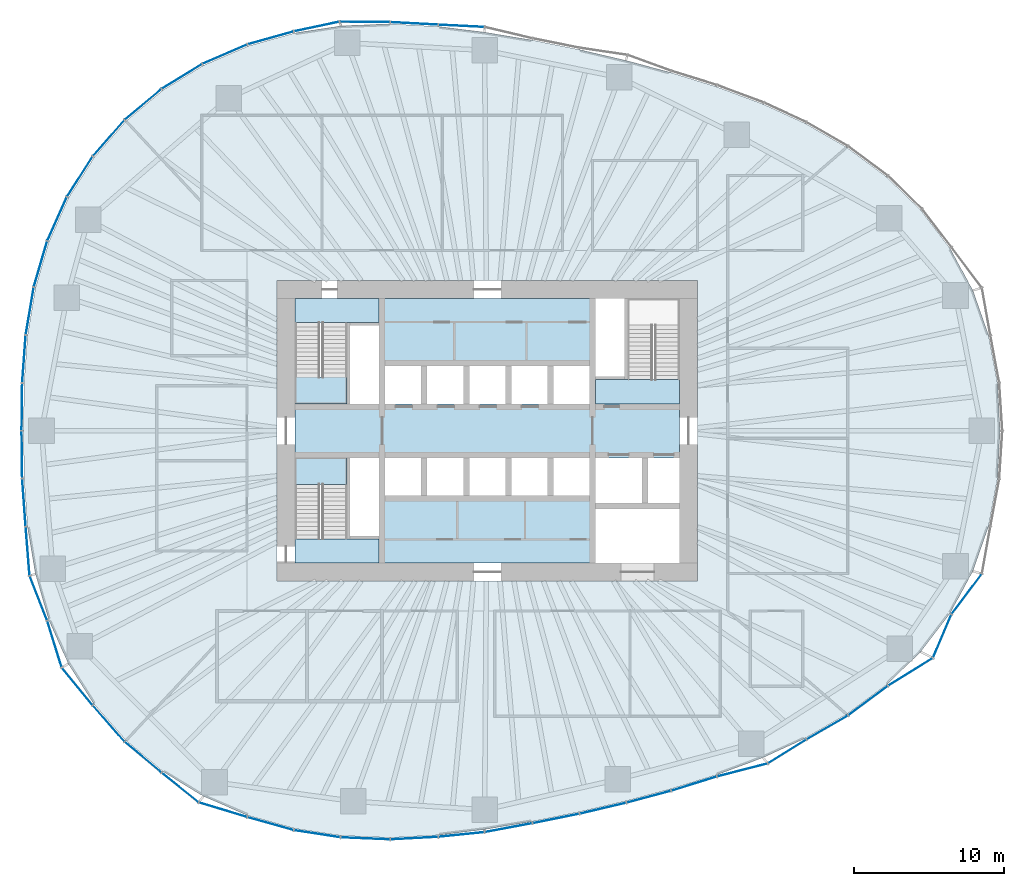
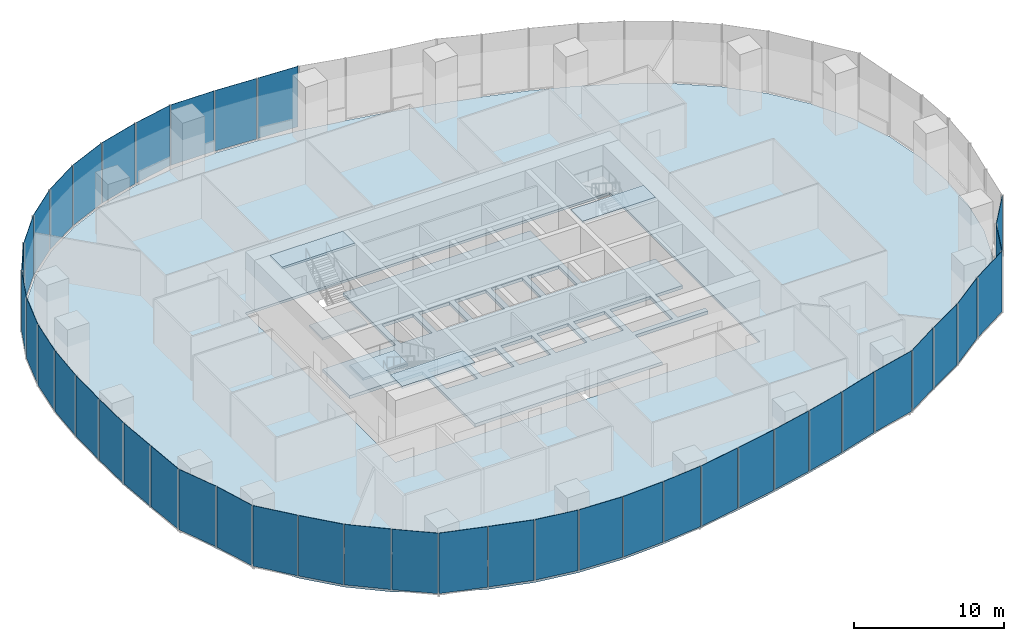
# One storey, part 8 of 20: 42 plates, 7 slabs, 17 elements without a shape of their own.
"""IFC4 building model written with IfcOpenShell, lengths in metres."""

import ifcopenshell
import ifcopenshell.guid

model = None  # the IFC model being written
_history = None  # IfcOwnerHistory: only IFC2X3 demands one
_inside = {}  # id of a spatial element -> (the spatial element, [elements in it])
_under = {}  # id of a project, library or spatial element -> (it, [spatial elements below it])
_declared = {}  # id of a project -> (the project, [libraries it declares])
_typed = {}  # id of a type object -> (the type object, [elements of that type])
_made_of = {}  # id of a material, layer set ... -> (it, [elements and type objects made of it])


def new_model(schema):
    """Start an empty IFC model of exactly this schema.

    Asked for "IFC4X3", IfcOpenShell would pick the latest addendum, in which some entities
    have other attributes; the version numbers below select the first issue.
    IFC2X3 requires an IfcOwnerHistory on every rooted entity: one is made here for all.
    """
    global model, _history
    if schema == "IFC4X3":
        model = ifcopenshell.file(schema_version=(4, 3, 0, 0))
    else:
        model = ifcopenshell.file(schema=schema)
    _inside.clear()
    _under.clear()
    _declared.clear()
    _typed.clear()
    _made_of.clear()
    _history = None
    if model.schema == "IFC2X3":
        org = make("IfcOrganization", Name="unknown")
        user = make(
            "IfcPersonAndOrganization",
            ThePerson=make("IfcPerson", FamilyName="unknown"),
            TheOrganization=org,
        )
        app = make(
            "IfcApplication",
            ApplicationDeveloper=org,
            Version="unknown",
            ApplicationFullName="unknown",
            ApplicationIdentifier="unknown",
        )
        _history = make(
            "IfcOwnerHistory",
            OwningUser=user,
            OwningApplication=app,
            ChangeAction="ADDED",
            CreationDate=0,
        )
    return model


def make(cls, **values):
    """One entity of the class cls with the attributes given. An attribute that is None is left unset."""
    return model.create_entity(
        cls, **{name: value for name, value in values.items() if value is not None}
    )


def rooted(cls, **values):
    """An entity with a GlobalId (a new one), such as an element, a storey or a relation."""
    return make(cls, GlobalId=ifcopenshell.guid.new(), OwnerHistory=_history, **values)


def si_unit(unit_type, name, prefix=None):
    """IfcSIUnit, for example si_unit("LENGTHUNIT", "METRE", prefix="MILLI")."""
    return make("IfcSIUnit", UnitType=unit_type, Prefix=prefix, Name=name)


def assignment(units):
    """IfcUnitAssignment: the units of a project."""
    return None if units is None else make("IfcUnitAssignment", Units=units)


def point(xyz):
    """IfcCartesianPoint."""
    return None if xyz is None else make("IfcCartesianPoint", Coordinates=xyz)


def direction(xyz):
    """IfcDirection."""
    return None if xyz is None else make("IfcDirection", DirectionRatios=xyz)


def frame(location, z_axis=None, x_axis=None):
    """IfcAxis2Placement3D, a coordinate frame: its origin and axes. An axis left out is left unset."""
    return make(
        "IfcAxis2Placement3D",
        Location=point(location),
        Axis=direction(z_axis),
        RefDirection=direction(x_axis),
    )


def frame_2d(location, x_axis=None):
    """IfcAxis2Placement2D, a coordinate frame in the plane: its origin and x axis."""
    return make(
        "IfcAxis2Placement2D", Location=point(location), RefDirection=direction(x_axis)
    )


def origin():
    """The frame at (0, 0, 0) with its axes left unset."""
    return frame((0.0, 0.0, 0.0))


def origin_2d():
    """The frame at (0, 0) in the plane with its x axis left unset."""
    return frame_2d((0.0, 0.0))


def place(relative_to, where):
    """IfcLocalPlacement: puts the frame where relative to a parent placement (None: the world)."""
    return make(
        "IfcLocalPlacement", PlacementRelTo=relative_to, RelativePlacement=where
    )


def context(
    kind, dimensions, precision=None, world=None, true_north=None, identifier=None
):
    """IfcGeometricRepresentationContext, for example the 3D "Model" context."""
    return make(
        "IfcGeometricRepresentationContext",
        ContextIdentifier=identifier,
        ContextType=kind,
        CoordinateSpaceDimension=dimensions,
        Precision=precision,
        WorldCoordinateSystem=world,
        TrueNorth=true_north,
    )


def subcontext(parent, identifier, kind, view, scale=None):
    """IfcGeometricRepresentationSubContext, for example "Body" below "Model"."""
    return make(
        "IfcGeometricRepresentationSubContext",
        ContextIdentifier=identifier,
        ContextType=kind,
        ParentContext=parent,
        TargetScale=scale,
        TargetView=view,
    )


def project(units=None, contexts=None):
    """IfcProject with its units and contexts."""
    return rooted(
        "IfcProject",
        Name="project",
        RepresentationContexts=contexts,
        UnitsInContext=assignment(units),
    )


def spatial(cls, under=None, at=None, **own):
    """A site, building, storey or space (cls), placed at a placement, below another one or the project."""
    s = rooted(cls, ObjectPlacement=at, **own)
    if under is not None:
        _under.setdefault(under.id(), (under, []))[1].append(s)
    return s


def polyline(points):
    """IfcPolyline through the points."""
    return make("IfcPolyline", Points=[point(p) for p in points])


def profile(cls, at=None, kind="AREA", **sizes):
    """A parametric profile (cls). Its sizes go by their IFC names, for example OverallWidth=200.0."""
    return make(cls, ProfileType=kind, Position=at, **sizes)


def rectangle(**sizes):
    """IfcRectangleProfileDef."""
    return profile("IfcRectangleProfileDef", **sizes)


def outline(outer, holes=None, kind="AREA"):
    """IfcArbitraryClosedProfileDef: a profile drawn as a closed curve; with holes, ...WithVoids."""
    if holes is None:
        return make("IfcArbitraryClosedProfileDef", ProfileType=kind, OuterCurve=outer)
    return make(
        "IfcArbitraryProfileDefWithVoids",
        ProfileType=kind,
        OuterCurve=outer,
        InnerCurves=holes,
    )


def extrude(swept, where, along, depth):
    """IfcExtrudedAreaSolid: the profile swept, set in the frame where, extruded along a direction by depth."""
    return make(
        "IfcExtrudedAreaSolid",
        SweptArea=swept,
        Position=where,
        ExtrudedDirection=direction(along),
        Depth=depth,
    )


def shape(context_of_items, identifier, shape_type, items):
    """IfcShapeRepresentation: the items that make up one representation, for example the "Body"."""
    return make(
        "IfcShapeRepresentation",
        ContextOfItems=context_of_items,
        RepresentationIdentifier=identifier,
        RepresentationType=shape_type,
        Items=items,
    )


def material(Name=None, Category=None):
    """IfcMaterial."""
    return make("IfcMaterial", Name=Name, Category=Category)


def layer(
    of_material, thickness, ventilated=None, Name=None, Category=None, Priority=None
):
    """IfcMaterialLayer: one layer of a wall or slab, of a material (None: an air gap)."""
    return make(
        "IfcMaterialLayer",
        Material=of_material,
        LayerThickness=thickness,
        IsVentilated=ventilated,
        Name=Name,
        Category=Category,
        Priority=Priority,
    )


def layer_set(layers, Name=None):
    """IfcMaterialLayerSet."""
    return make("IfcMaterialLayerSet", MaterialLayers=layers, LayerSetName=Name)


def made_of(thing, what):
    """Note that an element or type object is made of a material, layer set ...; save() writes the relation."""
    if what is not None:
        _made_of.setdefault(what.id(), (what, []))[1].append(thing)
    return thing


def type_object(cls, material=None, **own):
    """A type object (cls), such as IfcWallType, which elements share."""
    return made_of(rooted(cls, **own), material)


def element(
    cls,
    number,
    at=None,
    inside=None,
    cuts=None,
    type_object=None,
    material=None,
    context=None,
    identifier="Body",
    shape_type=None,
    held_by="IfcProductDefinitionShape",
    body=None,
    shapes=None,
    **own,
):
    """One element of the class cls, such as IfcWall. Its Tag is "e" and its number.

    at: its placement. inside: the storey or other place that contains it. cuts: it is an
    opening in that element (IfcRelVoidsElement). A single representation is given by context,
    identifier, shape_type and body (its items); several are given by shapes. held_by: the class
    of the entity that holds the representations. save() writes the other relations.
    """
    e = rooted(cls, Tag="e%d" % number, ObjectPlacement=at, **own)
    if body is not None:
        shapes = [shape(context, identifier, shape_type, body)]
    if shapes is not None:
        e.Representation = make(held_by, Representations=shapes)
    if inside is not None:
        _inside.setdefault(inside.id(), (inside, []))[1].append(e)
    if cuts is not None:
        rooted(
            "IfcRelVoidsElement", RelatingBuildingElement=cuts, RelatedOpeningElement=e
        )
    if type_object is not None:
        _typed.setdefault(type_object.id(), (type_object, []))[1].append(e)
    return made_of(e, material)


def aggregate(whole, parts):
    """IfcRelAggregates: a whole, such as a stair, and the parts it consists of."""
    return rooted("IfcRelAggregates", RelatingObject=whole, RelatedObjects=parts)


def save(model, path):
    """Write the relations noted so far, then the file.

    IfcRelAggregates (storeys below a building ...), IfcRelContainedInSpatialStructure (elements
    in a storey), IfcRelDefinesByType, IfcRelAssociatesMaterial and IfcRelDeclares: one each for
    every whole, place, type object, material and project.
    """
    for whole, parts in _under.values():
        aggregate(whole, parts)
    for where, things in _inside.values():
        rooted(
            "IfcRelContainedInSpatialStructure",
            RelatedElements=things,
            RelatingStructure=where,
        )
    for kind, things in _typed.values():
        rooted("IfcRelDefinesByType", RelatedObjects=things, RelatingType=kind)
    for what, things in _made_of.values():
        rooted("IfcRelAssociatesMaterial", RelatedObjects=things, RelatingMaterial=what)
    for by, libraries in _declared.values():
        rooted("IfcRelDeclares", RelatingContext=by, RelatedDefinitions=libraries)
    model.write(path)


model = new_model("IFC4")

# Units and contexts
model_context = context("Model", 3, precision=1e-05, world=origin(), true_north=direction((0.0, 1.0)))
body_context = subcontext(model_context, "Body", "Model", "MODEL_VIEW")
ifc_project = project(units=[si_unit("LENGTHUNIT", "METRE"), si_unit("AREAUNIT", "SQUARE_METRE"), si_unit("VOLUMEUNIT", "CUBIC_METRE"), si_unit("PLANEANGLEUNIT", "RADIAN"), si_unit("MASSUNIT", "GRAM", prefix="KILO")], contexts=[model_context])

# Site, building, storey
site_placement = place(None, origin())
site = spatial("IfcSite", under=ifc_project, at=site_placement, CompositionType="ELEMENT")
building_placement = place(site_placement, origin())
building = spatial("IfcBuilding", under=site, at=building_placement, Name="Ghaith Harvest Tower", CompositionType="ELEMENT")
storey_placement = place(building_placement, frame((0.0, 0.0, 60.0)))
storey = spatial("IfcBuildingStorey", under=building, at=storey_placement, Name="L12", CompositionType="ELEMENT", Elevation=60.0)

# Curtain wall, plates
ifc_material_1 = material(Name="Black anodised aluminium and fritted glass", Category="aluminium")
curtain_wall_type = type_object("IfcCurtainWallType", Name="CW-F CURTAIN WALL", PredefinedType="NOTDEFINED", material=ifc_material_1)
curtain_wall_1_placement = place(storey_placement, origin())
curtain_wall_1 = element("IfcCurtainWall", 1, at=curtain_wall_1_placement, inside=storey, type_object=curtain_wall_type, Name="Curtain wall CW-F bay 06 L12", PredefinedType="NOTDEFINED")
ifc_material_2 = material(Name="Glass, high-transmission fritted double glazed unit", Category="glass")
ifc_layer_1 = layer(ifc_material_2, 0.028076171875)
ifc_layer_set_1 = layer_set([ifc_layer_1], Name="CW-F VISION PANEL")
plate_type = type_object("IfcPlateType", Name="CW-F VISION PANEL", PredefinedType="CURTAIN_PANEL", material=ifc_layer_set_1)
plate_1_placement = place(storey_placement, frame((-1.722900390625, 26.953369140625, 0.080078125), z_axis=(0.0, 0.0, 1.0), x_axis=(-0.998771443485, 0.049554048048, 0.0)))
plate_1 = element("IfcPlate", 2, at=plate_1_placement, type_object=plate_type, Name="CW-F panel 1 bay 06 L12", PredefinedType="CURTAIN_PANEL", context=body_context, shape_type="SweptSolid", body=[
    extrude(rectangle(XDim=3.001708984375, YDim=0.028076171875, at=origin_2d()), origin(), (0.0, 0.0, 1.0), 4.919921875),
])
plate_2_placement = place(storey_placement, frame((-4.863525390625, 27.11572265625, 0.080078125), z_axis=(0.0, 0.0, 1.0), x_axis=(-0.99856250263, 0.053599704667, 0.0)))
plate_2 = element("IfcPlate", 3, at=plate_2_placement, type_object=plate_type, Name="CW-F panel 2 bay 06 L12", PredefinedType="CURTAIN_PANEL", context=body_context, shape_type="SweptSolid", body=[
    extrude(rectangle(XDim=3.1279296875, YDim=0.028076171875, at=origin_2d()), origin(), (0.0, 0.0, 1.0), 4.919921875),
])
plate_3_placement = place(storey_placement, frame((-8.150390625, 27.217041015625, 0.080078125), z_axis=(0.0, 0.0, 1.0), x_axis=(-0.999959609481, 0.008987736446, 0.0)))
plate_3 = element("IfcPlate", 4, at=plate_3_placement, type_object=plate_type, Name="CW-F panel 3 bay 06 L12", PredefinedType="CURTAIN_PANEL", context=body_context, shape_type="SweptSolid", body=[
    extrude(rectangle(XDim=3.29052734375, YDim=0.028076171875, at=origin_2d()), origin(), (0.0, 0.0, 1.0), 4.919921875),
])
aggregate(curtain_wall_1, [plate_1, plate_2, plate_3])

curtain_wall_2_placement = place(storey_placement, origin())
curtain_wall_2 = element("IfcCurtainWall", 5, at=curtain_wall_2_placement, inside=storey, type_object=curtain_wall_type, Name="Curtain wall CW-F bay 07 L12", PredefinedType="NOTDEFINED")
plate_4_placement = place(storey_placement, frame((-11.358154296875, 26.908447265625, 0.080078125), z_axis=(0.0, 0.0, 1.0), x_axis=(-0.978149320779, -0.207903598476, 0.0)))
plate_4 = element("IfcPlate", 6, at=plate_4_placement, type_object=plate_type, Name="CW-F panel 1 bay 07 L12", PredefinedType="CURTAIN_PANEL", context=body_context, shape_type="SweptSolid", body=[
    extrude(rectangle(XDim=3.032958984375, YDim=0.028076171875, at=origin_2d()), origin(), (0.0, 0.0, 1.0), 4.919921875),
])
plate_5_placement = place(storey_placement, frame((-14.42578125, 26.150634765625, 0.080078125), z_axis=(0.0, 0.0, 1.0), x_axis=(-0.96272968243, -0.270465448012, 0.0)))
plate_5 = element("IfcPlate", 7, at=plate_5_placement, type_object=plate_type, Name="CW-F panel 2 bay 07 L12", PredefinedType="CURTAIN_PANEL", context=body_context, shape_type="SweptSolid", body=[
    extrude(rectangle(XDim=3.13037109375, YDim=0.028076171875, at=origin_2d()), origin(), (0.0, 0.0, 1.0), 4.919921875),
])
plate_6_placement = place(storey_placement, frame((-17.46923828125, 25.0693359375, 0.080078125), z_axis=(0.0, 0.0, 1.0), x_axis=(-0.918002845228, -0.396573796605, 0.0)))
plate_6 = element("IfcPlate", 8, at=plate_6_placement, type_object=plate_type, Name="CW-F panel 3 bay 07 L12", PredefinedType="CURTAIN_PANEL", context=body_context, shape_type="SweptSolid", body=[
    extrude(rectangle(XDim=3.18359375, YDim=0.028076171875, at=origin_2d()), origin(), (0.0, 0.0, 1.0), 4.919921875),
])
aggregate(curtain_wall_2, [plate_4, plate_5, plate_6])

curtain_wall_3_placement = place(storey_placement, origin())
curtain_wall_3 = element("IfcCurtainWall", 9, at=curtain_wall_3_placement, inside=storey, type_object=curtain_wall_type, Name="Curtain wall CW-F bay 08 L12", PredefinedType="NOTDEFINED")
plate_7_placement = place(storey_placement, frame((-20.324462890625, 23.590087890625, 0.080078125), z_axis=(0.0, 0.0, 1.0), x_axis=(-0.852527741552, -0.522681977769, 0.0)))
plate_7 = element("IfcPlate", 10, at=plate_7_placement, type_object=plate_type, Name="CW-F panel 1 bay 08 L12", PredefinedType="CURTAIN_PANEL", context=body_context, shape_type="SweptSolid", body=[
    extrude(rectangle(XDim=3.10400390625, YDim=0.028076171875, at=origin_2d()), origin(), (0.0, 0.0, 1.0), 4.919921875),
])
plate_8_placement = place(storey_placement, frame((-22.91064453125, 21.727294921875, 0.080078125), z_axis=(0.0, 0.0, 1.0), x_axis=(-0.766155215147, -0.642655573619, 0.0)))
plate_8 = element("IfcPlate", 11, at=plate_8_placement, type_object=plate_type, Name="CW-F panel 2 bay 08 L12", PredefinedType="CURTAIN_PANEL", context=body_context, shape_type="SweptSolid", body=[
    extrude(rectangle(XDim=3.1279296875, YDim=0.028076171875, at=origin_2d()), origin(), (0.0, 0.0, 1.0), 4.919921875),
])
plate_9_placement = place(storey_placement, frame((-25.201171875, 19.4853515625, 0.080078125), z_axis=(0.0, 0.0, 1.0), x_axis=(-0.659215937547, -0.751953687194, 0.0)))
plate_9 = element("IfcPlate", 12, at=plate_9_placement, type_object=plate_type, Name="CW-F panel 3 bay 08 L12", PredefinedType="CURTAIN_PANEL", context=body_context, shape_type="SweptSolid", body=[
    extrude(rectangle(XDim=3.1416015625, YDim=0.028076171875, at=origin_2d()), origin(), (0.0, 0.0, 1.0), 4.919921875),
])
aggregate(curtain_wall_3, [plate_7, plate_8, plate_9])

curtain_wall_4_placement = place(storey_placement, origin())
curtain_wall_4 = element("IfcCurtainWall", 13, at=curtain_wall_4_placement, inside=storey, type_object=curtain_wall_type, Name="Curtain wall CW-F bay 09 L12", PredefinedType="NOTDEFINED")
plate_10_placement = place(storey_placement, frame((-27.124755859375, 16.919677734375, 0.080078125), z_axis=(0.0, 0.0, 1.0), x_axis=(-0.536779195227, -0.843722759899, 0.0)))
plate_10 = element("IfcPlate", 14, at=plate_10_placement, type_object=plate_type, Name="CW-F panel 1 bay 09 L12", PredefinedType="CURTAIN_PANEL", context=body_context, shape_type="SweptSolid", body=[
    extrude(rectangle(XDim=3.13037109375, YDim=0.028076171875, at=origin_2d()), origin(), (0.0, 0.0, 1.0), 4.919921875),
])
plate_11_placement = place(storey_placement, frame((-28.639404296875, 14.100341796875, 0.080078125), z_axis=(0.0, 0.0, 1.0), x_axis=(-0.407134417018, -0.913368253488, 0.0)))
plate_11 = element("IfcPlate", 15, at=plate_11_placement, type_object=plate_type, Name="CW-F panel 2 bay 09 L12", PredefinedType="CURTAIN_PANEL", context=body_context, shape_type="SweptSolid", body=[
    extrude(rectangle(XDim=3.1279296875, YDim=0.028076171875, at=origin_2d()), origin(), (0.0, 0.0, 1.0), 4.919921875),
])
plate_12_placement = place(storey_placement, frame((-29.740478515625, 11.101318359375, 0.080078125), z_axis=(0.0, 0.0, 1.0), x_axis=(-0.280296918708, -0.959913348882, 0.0)))
plate_12 = element("IfcPlate", 16, at=plate_12_placement, type_object=plate_type, Name="CW-F panel 3 bay 09 L12", PredefinedType="CURTAIN_PANEL", context=body_context, shape_type="SweptSolid", body=[
    extrude(rectangle(XDim=3.1162109375, YDim=0.028076171875, at=origin_2d()), origin(), (0.0, 0.0, 1.0), 4.919921875),
])
aggregate(curtain_wall_4, [plate_10, plate_11, plate_12])

curtain_wall_5_placement = place(storey_placement, origin())
curtain_wall_5 = element("IfcCurtainWall", 17, at=curtain_wall_5_placement, inside=storey, type_object=curtain_wall_type, Name="Curtain wall CW-F bay 10 L12", PredefinedType="NOTDEFINED")
plate_13_placement = place(storey_placement, frame((-30.456298828125, 7.971435546875, 0.080078125), z_axis=(0.0, 0.0, 1.0), x_axis=(-0.165581316368, -0.986196140567, 0.0)))
plate_13 = element("IfcPlate", 18, at=plate_13_placement, type_object=plate_type, Name="CW-F panel 1 bay 10 L12", PredefinedType="CURTAIN_PANEL", context=body_context, shape_type="SweptSolid", body=[
    extrude(rectangle(XDim=3.156494140625, YDim=0.028076171875, at=origin_2d()), origin(), (0.0, 0.0, 1.0), 4.919921875),
])
plate_14_placement = place(storey_placement, frame((-30.84033203125, 4.77685546875, 0.080078125), z_axis=(0.0, 0.0, 1.0), x_axis=(-0.072420546123, -0.997374184797, 0.0)))
plate_14 = element("IfcPlate", 19, at=plate_14_placement, type_object=plate_type, Name="CW-F panel 2 bay 10 L12", PredefinedType="CURTAIN_PANEL", context=body_context, shape_type="SweptSolid", body=[
    extrude(rectangle(XDim=3.1259765625, YDim=0.028076171875, at=origin_2d()), origin(), (0.0, 0.0, 1.0), 4.919921875),
])
plate_15_placement = place(storey_placement, frame((-30.975830078125, 1.589111328125, 0.080078125), z_axis=(0.0, 0.0, 1.0), x_axis=(-0.012133206476, -0.999926389941, 0.0)))
plate_15 = element("IfcPlate", 20, at=plate_15_placement, type_object=plate_type, Name="CW-F panel 3 bay 10 L12", PredefinedType="CURTAIN_PANEL", context=body_context, shape_type="SweptSolid", body=[
    extrude(rectangle(XDim=3.09814453125, YDim=0.028076171875, at=origin_2d()), origin(), (0.0, 0.0, 1.0), 4.919921875),
])
aggregate(curtain_wall_5, [plate_13, plate_14, plate_15])

curtain_wall_6_placement = place(storey_placement, origin())
curtain_wall_6 = element("IfcCurtainWall", 21, at=curtain_wall_6_placement, inside=storey, type_object=curtain_wall_type, Name="Curtain wall CW-F bay 11 L12", PredefinedType="NOTDEFINED")
plate_16_placement = place(storey_placement, frame((-30.975830078125, -1.589111328125, 0.080078125), z_axis=(0.0, 0.0, 1.0), x_axis=(0.012133206773, -0.999926389937, 0.0)))
plate_16 = element("IfcPlate", 22, at=plate_16_placement, type_object=plate_type, Name="CW-F panel 1 bay 11 L12", PredefinedType="CURTAIN_PANEL", context=body_context, shape_type="SweptSolid", body=[
    extrude(rectangle(XDim=3.09814453125, YDim=0.028076171875, at=origin_2d()), origin(), (0.0, 0.0, 1.0), 4.919921875),
])
plate_17_placement = place(storey_placement, frame((-30.84033203125, -4.77685546875, 0.080078125), z_axis=(0.0, 0.0, 1.0), x_axis=(0.072420546349, -0.99737418478, 0.0)))
plate_17 = element("IfcPlate", 23, at=plate_17_placement, type_object=plate_type, Name="CW-F panel 2 bay 11 L12", PredefinedType="CURTAIN_PANEL", context=body_context, shape_type="SweptSolid", body=[
    extrude(rectangle(XDim=3.1259765625, YDim=0.028076171875, at=origin_2d()), origin(), (0.0, 0.0, 1.0), 4.919921875),
])
plate_18_placement = place(storey_placement, frame((-30.594482421875, -8.01513671875, 0.080078125), z_axis=(0.0, 0.0, 1.0), x_axis=(0.078867084181, -0.996885140341, 0.0)))
plate_18 = element("IfcPlate", 24, at=plate_18_placement, type_object=plate_type, Name="CW-F panel 3 bay 11 L12", PredefinedType="CURTAIN_PANEL", context=body_context, shape_type="SweptSolid", body=[
    extrude(rectangle(XDim=3.209716796875, YDim=0.028076171875, at=origin_2d()), origin(), (0.0, 0.0, 1.0), 4.919921875),
])
aggregate(curtain_wall_6, [plate_16, plate_17, plate_18])

curtain_wall_7_placement = place(storey_placement, origin())
curtain_wall_7 = element("IfcCurtainWall", 25, at=curtain_wall_7_placement, inside=storey, type_object=curtain_wall_type, Name="Curtain wall CW-F bay 12 L12", PredefinedType="NOTDEFINED")
plate_19_placement = place(storey_placement, frame((-29.878662109375, -11.14501953125, 0.080078125), z_axis=(0.0, 0.0, 1.0), x_axis=(0.366039738151, -0.930599220983, 0.0)))
plate_19 = element("IfcPlate", 26, at=plate_19_placement, type_object=plate_type, Name="CW-F panel 1 bay 12 L12", PredefinedType="CURTAIN_PANEL", context=body_context, shape_type="SweptSolid", body=[
    extrude(rectangle(XDim=3.122802734375, YDim=0.028076171875, at=origin_2d()), origin(), (0.0, 0.0, 1.0), 4.919921875),
])
plate_20_placement = place(storey_placement, frame((-28.809814453125, -14.195068359375, 0.080078125), z_axis=(0.0, 0.0, 1.0), x_axis=(0.295583054454, -0.95531704576, 0.0)))
plate_20 = element("IfcPlate", 27, at=plate_20_placement, type_object=plate_type, Name="CW-F panel 2 bay 12 L12", PredefinedType="CURTAIN_PANEL", context=body_context, shape_type="SweptSolid", body=[
    extrude(rectangle(XDim=3.185546875, YDim=0.028076171875, at=origin_2d()), origin(), (0.0, 0.0, 1.0), 4.919921875),
])
plate_21_placement = place(storey_placement, frame((-27.295166015625, -17.014404296875, 0.080078125), z_axis=(0.0, 0.0, 1.0), x_axis=(0.633789860881, -0.773505276158, 0.0)))
plate_21 = element("IfcPlate", 28, at=plate_21_placement, type_object=plate_type, Name="CW-F panel 3 bay 12 L12", PredefinedType="CURTAIN_PANEL", context=body_context, shape_type="SweptSolid", body=[
    extrude(rectangle(XDim=3.1767578125, YDim=0.028076171875, at=origin_2d()), origin(), (0.0, 0.0, 1.0), 4.919921875),
])
aggregate(curtain_wall_7, [plate_19, plate_20, plate_21])

curtain_wall_8_placement = place(storey_placement, origin())
curtain_wall_8 = element("IfcCurtainWall", 29, at=curtain_wall_8_placement, inside=storey, type_object=curtain_wall_type, Name="Curtain wall CW-F bay 13 L12", PredefinedType="NOTDEFINED")
plate_22_placement = place(storey_placement, frame((-25.201171875, -19.4853515625, 0.080078125), z_axis=(0.0, 0.0, 1.0), x_axis=(0.659215937337, -0.751953687378, 0.0)))
plate_22 = element("IfcPlate", 30, at=plate_22_placement, type_object=plate_type, Name="CW-F panel 1 bay 13 L12", PredefinedType="CURTAIN_PANEL", context=body_context, shape_type="SweptSolid", body=[
    extrude(rectangle(XDim=3.1416015625, YDim=0.028076171875, at=origin_2d()), origin(), (0.0, 0.0, 1.0), 4.919921875),
])
plate_23_placement = place(storey_placement, frame((-22.91064453125, -21.727294921875, 0.080078125), z_axis=(0.0, 0.0, 1.0), x_axis=(0.76615521545, -0.642655573258, 0.0)))
plate_23 = element("IfcPlate", 31, at=plate_23_placement, type_object=plate_type, Name="CW-F panel 2 bay 13 L12", PredefinedType="CURTAIN_PANEL", context=body_context, shape_type="SweptSolid", body=[
    extrude(rectangle(XDim=3.1279296875, YDim=0.028076171875, at=origin_2d()), origin(), (0.0, 0.0, 1.0), 4.919921875),
])
plate_24_placement = place(storey_placement, frame((-20.447265625, -23.748046875, 0.080078125), z_axis=(0.0, 0.0, 1.0), x_axis=(0.780122054158, -0.625627349639, 0.0)))
plate_24 = element("IfcPlate", 32, at=plate_24_placement, type_object=plate_type, Name="CW-F panel 3 bay 13 L12", PredefinedType="CURTAIN_PANEL", context=body_context, shape_type="SweptSolid", body=[
    extrude(rectangle(XDim=3.085205078125, YDim=0.028076171875, at=origin_2d()), origin(), (0.0, 0.0, 1.0), 4.919921875),
])
aggregate(curtain_wall_8, [plate_22, plate_23, plate_24])

curtain_wall_9_placement = place(storey_placement, origin())
curtain_wall_9 = element("IfcCurtainWall", 33, at=curtain_wall_9_placement, inside=storey, type_object=curtain_wall_type, Name="Curtain wall CW-F bay 14 L12", PredefinedType="NOTDEFINED")
plate_25_placement = place(storey_placement, frame((-17.591796875, -25.227294921875, 0.080078125), z_axis=(0.0, 0.0, 1.0), x_axis=(0.95734234218, -0.288956121011, 0.0)))
plate_25 = element("IfcPlate", 34, at=plate_25_placement, type_object=plate_type, Name="CW-F panel 1 bay 14 L12", PredefinedType="CURTAIN_PANEL", context=body_context, shape_type="SweptSolid", body=[
    extrude(rectangle(XDim=3.3056640625, YDim=0.028076171875, at=origin_2d()), origin(), (0.0, 0.0, 1.0), 4.919921875),
])
plate_26_placement = place(storey_placement, frame((-14.42578125, -26.150634765625, 0.080078125), z_axis=(0.0, 0.0, 1.0), x_axis=(0.962729682704, -0.270465447038, 0.0)))
plate_26 = element("IfcPlate", 35, at=plate_26_placement, type_object=plate_type, Name="CW-F panel 2 bay 14 L12", PredefinedType="CURTAIN_PANEL", context=body_context, shape_type="SweptSolid", body=[
    extrude(rectangle(XDim=3.13037109375, YDim=0.028076171875, at=origin_2d()), origin(), (0.0, 0.0, 1.0), 4.919921875),
])
plate_27_placement = place(storey_placement, frame((-11.327392578125, -26.82373046875, 0.080078125), z_axis=(0.0, 0.0, 1.0), x_axis=(0.98836987371, -0.152069039392, 0.0)))
plate_27 = element("IfcPlate", 36, at=plate_27_placement, type_object=plate_type, Name="CW-F panel 3 bay 14 L12", PredefinedType="CURTAIN_PANEL", context=body_context, shape_type="SweptSolid", body=[
    extrude(rectangle(XDim=3.0625, YDim=0.028076171875, at=origin_2d()), origin(), (0.0, 0.0, 1.0), 4.919921875),
])
aggregate(curtain_wall_9, [plate_25, plate_26, plate_27])

curtain_wall_10_placement = place(storey_placement, origin())
curtain_wall_10 = element("IfcCurtainWall", 37, at=curtain_wall_10_placement, inside=storey, type_object=curtain_wall_type, Name="Curtain wall CW-F bay 15 L12", PredefinedType="NOTDEFINED")
plate_28_placement = place(storey_placement, frame((-8.119873046875, -27.13232421875, 0.080078125), z_axis=(0.0, 0.0, 1.0), x_axis=(0.999118988518, -0.041967210794, 0.0)))
plate_28 = element("IfcPlate", 38, at=plate_28_placement, type_object=plate_type, Name="CW-F panel 1 bay 15 L12", PredefinedType="CURTAIN_PANEL", context=body_context, shape_type="SweptSolid", body=[
    extrude(rectangle(XDim=3.232177734375, YDim=0.028076171875, at=origin_2d()), origin(), (0.0, 0.0, 1.0), 4.919921875),
])
plate_29_placement = place(storey_placement, frame((-4.863525390625, -27.11572265625, 0.080078125), z_axis=(0.0, 0.0, 1.0), x_axis=(0.998562502616, 0.053599704928, 0.0)))
plate_29 = element("IfcPlate", 39, at=plate_29_placement, type_object=plate_type, Name="CW-F panel 2 bay 15 L12", PredefinedType="CURTAIN_PANEL", context=body_context, shape_type="SweptSolid", body=[
    extrude(rectangle(XDim=3.1279296875, YDim=0.028076171875, at=origin_2d()), origin(), (0.0, 0.0, 1.0), 4.919921875),
])
plate_30_placement = place(storey_placement, frame((-1.722412109375, -26.87353515625, 0.080078125), z_axis=(0.0, 0.0, 1.0), x_axis=(0.99488222177, 0.101041401443, 0.0)))
plate_30 = element("IfcPlate", 40, at=plate_30_placement, type_object=plate_type, Name="CW-F panel 3 bay 15 L12", PredefinedType="CURTAIN_PANEL", context=body_context, shape_type="SweptSolid", body=[
    extrude(rectangle(XDim=3.014892578125, YDim=0.028076171875, at=origin_2d()), origin(), (0.0, 0.0, 1.0), 4.919921875),
])
aggregate(curtain_wall_10, [plate_28, plate_29, plate_30])

curtain_wall_11_placement = place(storey_placement, origin())
curtain_wall_11 = element("IfcCurtainWall", 41, at=curtain_wall_11_placement, inside=storey, type_object=curtain_wall_type, Name="Curtain wall CW-F bay 16 L12", PredefinedType="NOTDEFINED")
plate_31_placement = place(storey_placement, frame((1.4130859375, -26.420166015625, 0.080078125), z_axis=(0.0, 0.0, 1.0), x_axis=(0.983131230266, 0.182901569365, 0.0)))
plate_31 = element("IfcPlate", 42, at=plate_31_placement, type_object=plate_type, Name="CW-F panel 1 bay 16 L12", PredefinedType="CURTAIN_PANEL", context=body_context, shape_type="SweptSolid", body=[
    extrude(rectangle(XDim=3.166748046875, YDim=0.028076171875, at=origin_2d()), origin(), (0.0, 0.0, 1.0), 4.919921875),
])
plate_32_placement = place(storey_placement, frame((4.5732421875, -25.809326171875, 0.080078125), z_axis=(0.0, 0.0, 1.0), x_axis=(0.98043234808, 0.196856320293, 0.0)))
plate_32 = element("IfcPlate", 43, at=plate_32_placement, type_object=plate_type, Name="CW-F panel 2 bay 16 L12", PredefinedType="CURTAIN_PANEL", context=body_context, shape_type="SweptSolid", body=[
    extrude(rectangle(XDim=3.1103515625, YDim=0.028076171875, at=origin_2d()), origin(), (0.0, 0.0, 1.0), 4.919921875),
])
plate_33_placement = place(storey_placement, frame((7.697265625, -25.129150390625, 0.080078125), z_axis=(0.0, 0.0, 1.0), x_axis=(0.973564757908, 0.228411169079, 0.0)))
plate_33 = element("IfcPlate", 44, at=plate_33_placement, type_object=plate_type, Name="CW-F panel 3 bay 16 L12", PredefinedType="CURTAIN_PANEL", context=body_context, shape_type="SweptSolid", body=[
    extrude(rectangle(XDim=3.125, YDim=0.028076171875, at=origin_2d()), origin(), (0.0, 0.0, 1.0), 4.919921875),
])
aggregate(curtain_wall_11, [plate_31, plate_32, plate_33])

curtain_wall_12_placement = place(storey_placement, origin())
curtain_wall_12 = element("IfcCurtainWall", 45, at=curtain_wall_12_placement, inside=storey, type_object=curtain_wall_type, Name="Curtain wall CW-F bay 17 L12", PredefinedType="NOTDEFINED")
plate_34_placement = place(storey_placement, frame((10.745849609375, -24.36376953125, 0.080078125), z_axis=(0.0, 0.0, 1.0), x_axis=(0.965848435029, 0.259107700681, 0.0)))
plate_34 = element("IfcPlate", 46, at=plate_34_placement, type_object=plate_type, Name="CW-F panel 1 bay 17 L12", PredefinedType="CURTAIN_PANEL", context=body_context, shape_type="SweptSolid", body=[
    extrude(rectangle(XDim=3.002197265625, YDim=0.028076171875, at=origin_2d()), origin(), (0.0, 0.0, 1.0), 4.919921875),
])
plate_35_placement = place(storey_placement, frame((13.760986328125, -23.490234375, 0.080078125), z_axis=(0.0, 0.0, 1.0), x_axis=(0.954988265447, 0.296643578827, 0.0)))
plate_35 = element("IfcPlate", 47, at=plate_35_placement, type_object=plate_type, Name="CW-F panel 2 bay 17 L12", PredefinedType="CURTAIN_PANEL", context=body_context, shape_type="SweptSolid", body=[
    extrude(rectangle(XDim=3.1171875, YDim=0.028076171875, at=origin_2d()), origin(), (0.0, 0.0, 1.0), 4.919921875),
])
plate_36_placement = place(storey_placement, frame((16.980712890625, -22.580322265625, 0.080078125), z_axis=(0.0, 0.0, 1.0), x_axis=(0.968451429434, 0.249202385275, 0.0)))
plate_36 = element("IfcPlate", 48, at=plate_36_placement, type_object=plate_type, Name="CW-F panel 3 bay 17 L12", PredefinedType="CURTAIN_PANEL", context=body_context, shape_type="SweptSolid", body=[
    extrude(rectangle(XDim=3.416748046875, YDim=0.028076171875, at=origin_2d()), origin(), (0.0, 0.0, 1.0), 4.919921875),
])
aggregate(curtain_wall_12, [plate_34, plate_35, plate_36])

curtain_wall_13_placement = place(storey_placement, origin())
curtain_wall_13 = element("IfcCurtainWall", 49, at=curtain_wall_13_placement, inside=storey, type_object=curtain_wall_type, Name="Curtain wall CW-F bay 18 L12", PredefinedType="NOTDEFINED")
plate_37_placement = place(storey_placement, frame((19.954833984375, -21.348876953125, 0.080078125), z_axis=(0.0, 0.0, 1.0), x_axis=(0.849360700005, 0.527812846837, 0.0)))
plate_37 = element("IfcPlate", 50, at=plate_37_placement, type_object=plate_type, Name="CW-F panel 1 bay 18 L12", PredefinedType="CURTAIN_PANEL", context=body_context, shape_type="SweptSolid", body=[
    extrude(rectangle(XDim=2.935791015625, YDim=0.028076171875, at=origin_2d()), origin(), (0.0, 0.0, 1.0), 4.919921875),
])
plate_38_placement = place(storey_placement, frame((22.626953125, -19.750244140625, 0.080078125), z_axis=(0.0, 0.0, 1.0), x_axis=(0.866159208454, 0.499768171866, 0.0)))
plate_38 = element("IfcPlate", 51, at=plate_38_placement, type_object=plate_type, Name="CW-F panel 2 bay 18 L12", PredefinedType="CURTAIN_PANEL", context=body_context, shape_type="SweptSolid", body=[
    extrude(rectangle(XDim=3.1328125, YDim=0.028076171875, at=origin_2d()), origin(), (0.0, 0.0, 1.0), 4.919921875),
])
plate_39_placement = place(storey_placement, frame((25.34619140625, -17.96142578125, 0.080078125), z_axis=(0.0, 0.0, 1.0), x_axis=(0.802866788713, 0.596158468515, 0.0)))
plate_39 = element("IfcPlate", 52, at=plate_39_placement, type_object=plate_type, Name="CW-F panel 3 bay 18 L12", PredefinedType="CURTAIN_PANEL", context=body_context, shape_type="SweptSolid", body=[
    extrude(rectangle(XDim=3.2275390625, YDim=0.028076171875, at=origin_2d()), origin(), (0.0, 0.0, 1.0), 4.919921875),
])
aggregate(curtain_wall_13, [plate_37, plate_38, plate_39])

curtain_wall_14_placement = place(storey_placement, origin())
curtain_wall_14 = element("IfcCurtainWall", 53, at=curtain_wall_14_placement, inside=storey, type_object=curtain_wall_type, Name="Curtain wall CW-F bay 19 L12", PredefinedType="NOTDEFINED")
plate_40_placement = place(storey_placement, frame((28.166748046875, -16.05126953125, 0.080078125), z_axis=(0.0, 0.0, 1.0), x_axis=(0.850245604669, 0.526386181184, 0.0)))
plate_40 = element("IfcPlate", 54, at=plate_40_placement, type_object=plate_type, Name="CW-F panel 1 bay 19 L12", PredefinedType="CURTAIN_PANEL", context=body_context, shape_type="SweptSolid", body=[
    extrude(rectangle(XDim=3.431884765625, YDim=0.028076171875, at=origin_2d()), origin(), (0.0, 0.0, 1.0), 4.919921875),
])
plate_41_placement = place(storey_placement, frame((30.2783203125, -13.6708984375, 0.080078125), z_axis=(0.0, 0.0, 1.0), x_axis=(0.390980294296, 0.920399049039, 0.0)))
plate_41 = element("IfcPlate", 55, at=plate_41_placement, type_object=plate_type, Name="CW-F panel 2 bay 19 L12", PredefinedType="CURTAIN_PANEL", context=body_context, shape_type="SweptSolid", body=[
    extrude(rectangle(XDim=3.083740234375, YDim=0.028076171875, at=origin_2d()), origin(), (0.0, 0.0, 1.0), 4.919921875),
])
plate_42_placement = place(storey_placement, frame((31.91015625, -10.865234375, 0.080078125), z_axis=(0.0, 0.0, 1.0), x_axis=(0.600454091429, 0.799659229976, 0.0)))
plate_42 = element("IfcPlate", 56, at=plate_42_placement, type_object=plate_type, Name="CW-F panel 3 bay 19 L12", PredefinedType="CURTAIN_PANEL", context=body_context, shape_type="SweptSolid", body=[
    extrude(rectangle(XDim=3.295654296875, YDim=0.028076171875, at=origin_2d()), origin(), (0.0, 0.0, 1.0), 4.919921875),
])
aggregate(curtain_wall_14, [plate_40, plate_41, plate_42])

# Slabs
ifc_material_3 = material(Name="Concrete C40/50", Category="concrete")
ifc_layer_2 = layer(ifc_material_3, 0.199951171875)
ifc_layer_set_2 = layer_set([ifc_layer_2], Name="FLOOR SLAB 200")
slab_type_1 = type_object("IfcSlabType", Name="FLOOR SLAB 200", PredefinedType="FLOOR", material=ifc_layer_set_2)
slab_1_placement = place(storey_placement, frame((0.0, 0.0, -0.199951171875)))
element("IfcSlab", 57, at=slab_1_placement, inside=storey, type_object=slab_type_1, Name="Floor slab L12", PredefinedType="FLOOR", context=body_context, shape_type="SweptSolid", body=[
    extrude(outline(polyline([(34.125, 0.0), (33.95849609375, 3.194091796875), (33.37158203125, 6.333984375), (32.318359375, 9.3408203125), (30.78515625, 12.1708984375), (28.840087890625, 14.708984375), (26.572509765625, 16.9111328125), (23.92431640625, 18.873046875), (21.149169921875, 20.469482421875), (18.34521484375, 21.7548828125), (15.22119140625, 22.916259765625), (12.1796875, 23.857666015625), (9.21533203125, 24.65087890625), (6.10888671875, 25.378662109375), (2.99560546875, 26.004150390625), (-0.181396484375, 26.527099609375), (-3.24755859375, 26.91064453125), (-6.4375, 27.0849609375), (-9.733642578125, 26.949951171875), (-12.828125, 26.476806640625), (-15.907958984375, 25.614501953125), (-18.8935546875, 24.32763671875), (-21.59912109375, 22.671142578125), (-24.04833984375, 20.618408203125), (-26.16455078125, 18.20556640625), (-27.881591796875, 15.507080078125), (-29.182373046875, 12.587890625), (-30.073974609375, 9.531005859375), (-30.606689453125, 6.35107421875), (-30.837158203125, 3.165771484375), (-30.875, 0.0), (-30.837158203125, -3.165771484375), (-30.606689453125, -6.35107421875), (-30.073974609375, -9.531005859375), (-29.182373046875, -12.587890625), (-27.881591796875, -15.507080078125), (-26.16455078125, -18.20556640625), (-24.04833984375, -20.618408203125), (-21.59912109375, -22.671142578125), (-18.8935546875, -24.32763671875), (-15.907958984375, -25.614501953125), (-12.828125, -26.476806640625), (-9.733642578125, -26.949951171875), (-6.4375, -27.0849609375), (-3.24755859375, -26.91064453125), (-0.181396484375, -26.527099609375), (2.99560546875, -26.004150390625), (6.10888671875, -25.378662109375), (9.21533203125, -24.65087890625), (12.1796875, -23.857666015625), (15.22119140625, -22.916259765625), (18.34521484375, -21.7548828125), (21.149169921875, -20.469482421875), (23.92431640625, -18.873046875), (26.572509765625, -16.9111328125), (28.840087890625, -14.708984375), (30.78515625, -12.1708984375), (32.318359375, -9.3408203125), (33.37158203125, -6.333984375), (33.95849609375, -3.194091796875), (34.125, 0.0)]), holes=[polyline([(-14.0, -10.0), (14.0, -10.0), (14.0, 10.0), (-14.0, 10.0), (-14.0, -10.0)])]), origin(), (0.0, 0.0, 1.0), 0.199951171875),
])
ifc_material_4 = material(Name="Concrete C40/50", Category="concrete")
ifc_layer_3 = layer(ifc_material_4, 0.25)
ifc_layer_set_3 = layer_set([ifc_layer_3], Name="FLOOR SLAB 250")
slab_type_2 = type_object("IfcSlabType", Name="FLOOR SLAB 250", PredefinedType="FLOOR", material=ifc_layer_set_3)
slab_2_placement = place(storey_placement, frame((0.0, 0.0, -0.25)))
element("IfcSlab", 58, at=slab_2_placement, inside=storey, type_object=slab_type_2, Name="Core slab L12", PredefinedType="FLOOR", context=body_context, shape_type="SweptSolid", body=[
    extrude(outline(polyline([(-12.800048828125, 1.800048828125), (-7.199951171875, 1.800048828125), (-7.199951171875, 8.800048828125), (7.199951171875, 8.800048828125), (7.199951171875, 1.800048828125), (12.800048828125, 1.800048828125), (12.800048828125, -1.800048828125), (10.699951171875, -1.800048828125), (10.699951171875, -4.800048828125), (12.800048828125, -4.800048828125), (12.800048828125, -5.199951171875), (7.199951171875, -5.199951171875), (7.199951171875, -8.800048828125), (-7.199951171875, -8.800048828125), (-7.199951171875, -1.800048828125), (-12.800048828125, -1.800048828125), (-12.800048828125, 1.800048828125)]), holes=[polyline([(-4.39990234375, -4.300048828125), (-4.39990234375, -1.800048828125), (-6.800048828125, -1.800048828125), (-6.800048828125, -4.300048828125), (-4.39990234375, -4.300048828125)]), polyline([(-1.60009765625, -4.300048828125), (-1.60009765625, -1.800048828125), (-4.0, -1.800048828125), (-4.0, -4.300048828125), (-1.60009765625, -4.300048828125)]), polyline([(1.199951171875, -4.300048828125), (1.199951171875, -1.800048828125), (-1.199951171875, -1.800048828125), (-1.199951171875, -4.300048828125), (1.199951171875, -4.300048828125)]), polyline([(-4.39990234375, 1.800048828125), (-4.39990234375, 4.300048828125), (-6.800048828125, 4.300048828125), (-6.800048828125, 1.800048828125), (-4.39990234375, 1.800048828125)]), polyline([(-1.60009765625, 1.800048828125), (-1.60009765625, 4.300048828125), (-4.0, 4.300048828125), (-4.0, 1.800048828125), (-1.60009765625, 1.800048828125)]), polyline([(1.199951171875, 1.800048828125), (1.199951171875, 4.300048828125), (-1.199951171875, 4.300048828125), (-1.199951171875, 1.800048828125), (1.199951171875, 1.800048828125)]), polyline([(10.300048828125, -4.800048828125), (10.300048828125, -1.800048828125), (7.199951171875, -1.800048828125), (7.199951171875, -4.800048828125), (10.300048828125, -4.800048828125)]), polyline([(4.0, -4.300048828125), (4.0, -1.800048828125), (1.60009765625, -1.800048828125), (1.60009765625, -4.300048828125), (4.0, -4.300048828125)]), polyline([(6.800048828125, -4.300048828125), (6.800048828125, -1.800048828125), (4.39990234375, -1.800048828125), (4.39990234375, -4.300048828125), (6.800048828125, -4.300048828125)]), polyline([(4.0, 1.800048828125), (4.0, 4.300048828125), (1.60009765625, 4.300048828125), (1.60009765625, 1.800048828125), (4.0, 1.800048828125)]), polyline([(6.800048828125, 1.800048828125), (6.800048828125, 4.300048828125), (4.39990234375, 4.300048828125), (4.39990234375, 1.800048828125), (6.800048828125, 1.800048828125)])]), origin(), (0.0, 0.0, 1.0), 0.25),
])

# Stair, slabs
ifc_material_5 = material(Name="Concrete C40/50, precast", Category="concrete")
stair_type = type_object("IfcStairType", Name="CORE STAIR 28R", PredefinedType="HALF_TURN_STAIR", material=ifc_material_5)
stair_1_placement = place(storey_placement, origin())
stair_1 = element("IfcStair", 59, at=stair_1_placement, inside=storey, type_object=stair_type, Name="Stair ST1 L12", PredefinedType="HALF_TURN_STAIR")
ifc_material_6 = material(Name="Concrete C40/50, precast", Category="concrete")
ifc_layer_4 = layer(ifc_material_6, 0.179931640625)
ifc_layer_set_4 = layer_set([ifc_layer_4], Name="STAIR LANDING 180")
slab_type_3 = type_object("IfcSlabType", Name="STAIR LANDING 180", PredefinedType="LANDING", material=ifc_layer_set_4)
slab_3_placement = place(storey_placement, frame((0.0, 0.0, 2.320068359375)))
slab_3 = element("IfcSlab", 60, at=slab_3_placement, type_object=slab_type_3, Name="ST1 landing 1", PredefinedType="LANDING", context=body_context, shape_type="SweptSolid", body=[
    extrude(outline(polyline([(-12.800048828125, 3.580078125), (-12.800048828125, 1.800048828125), (-9.35009765625, 1.800048828125), (-9.35009765625, 3.580078125), (-12.800048828125, 3.580078125)])), origin(), (0.0, 0.0, 1.0), 0.179931640625),
])
slab_4_placement = place(storey_placement, frame((0.0, 0.0, 4.820068359375)))
slab_4 = element("IfcSlab", 61, at=slab_4_placement, type_object=slab_type_3, Name="ST1 landing 2", PredefinedType="LANDING", context=body_context, shape_type="SweptSolid", body=[
    extrude(outline(polyline([(-12.800048828125, 8.800048828125), (-12.800048828125, 7.199951171875), (-7.199951171875, 7.199951171875), (-7.199951171875, 8.800048828125), (-12.800048828125, 8.800048828125)])), origin(), (0.0, 0.0, 1.0), 0.179931640625),
])
aggregate(stair_1, [slab_3, slab_4])

stair_2_placement = place(storey_placement, origin())
stair_2 = element("IfcStair", 62, at=stair_2_placement, inside=storey, type_object=stair_type, Name="Stair ST3 L12", PredefinedType="HALF_TURN_STAIR")
slab_5_placement = place(storey_placement, frame((0.0, 0.0, 2.320068359375)))
slab_5 = element("IfcSlab", 63, at=slab_5_placement, type_object=slab_type_3, Name="ST3 landing 1", PredefinedType="LANDING", context=body_context, shape_type="SweptSolid", body=[
    extrude(outline(polyline([(-12.800048828125, -3.580078125), (-12.800048828125, -1.800048828125), (-9.35009765625, -1.800048828125), (-9.35009765625, -3.580078125), (-12.800048828125, -3.580078125)])), origin(), (0.0, 0.0, 1.0), 0.179931640625),
])
slab_6_placement = place(storey_placement, frame((0.0, 0.0, 4.820068359375)))
slab_6 = element("IfcSlab", 64, at=slab_6_placement, type_object=slab_type_3, Name="ST3 landing 2", PredefinedType="LANDING", context=body_context, shape_type="SweptSolid", body=[
    extrude(outline(polyline([(-12.800048828125, -8.800048828125), (-12.800048828125, -7.199951171875), (-7.199951171875, -7.199951171875), (-7.199951171875, -8.800048828125), (-12.800048828125, -8.800048828125)])), origin(), (0.0, 0.0, 1.0), 0.179931640625),
])
aggregate(stair_2, [slab_5, slab_6])

# Stair, slab
stair_3_placement = place(storey_placement, origin())
stair_3 = element("IfcStair", 65, at=stair_3_placement, inside=storey, type_object=stair_type, Name="Stair ST2 L12", PredefinedType="HALF_TURN_STAIR")
slab_7_placement = place(storey_placement, frame((0.0, 0.0, 4.820068359375)))
slab_7 = element("IfcSlab", 66, at=slab_7_placement, type_object=slab_type_3, Name="ST2 landing 2", PredefinedType="LANDING", context=body_context, shape_type="SweptSolid", body=[
    extrude(outline(polyline([(12.800048828125, 1.800048828125), (12.800048828125, 3.39990234375), (7.199951171875, 3.39990234375), (7.199951171875, 1.800048828125), (12.800048828125, 1.800048828125)])), origin(), (0.0, 0.0, 1.0), 0.179931640625),
])
aggregate(stair_3, [slab_7])

save(model, "model.ifc")
